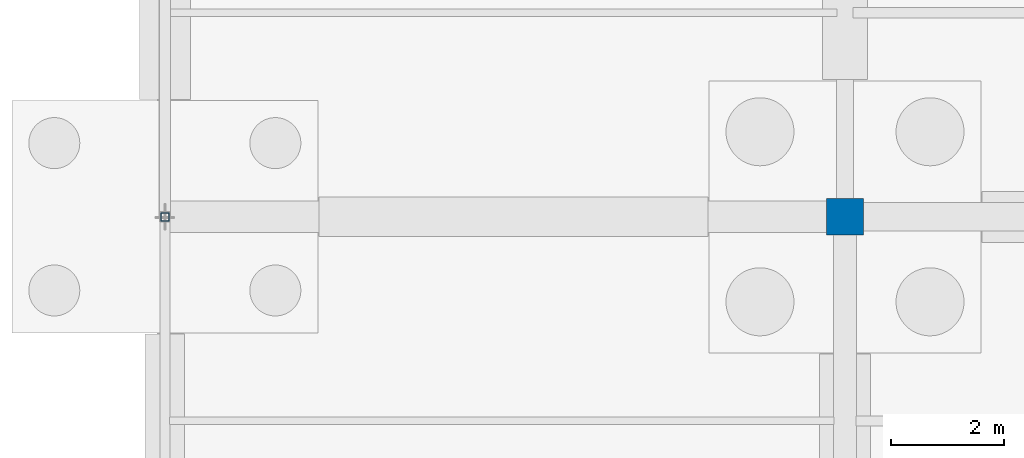
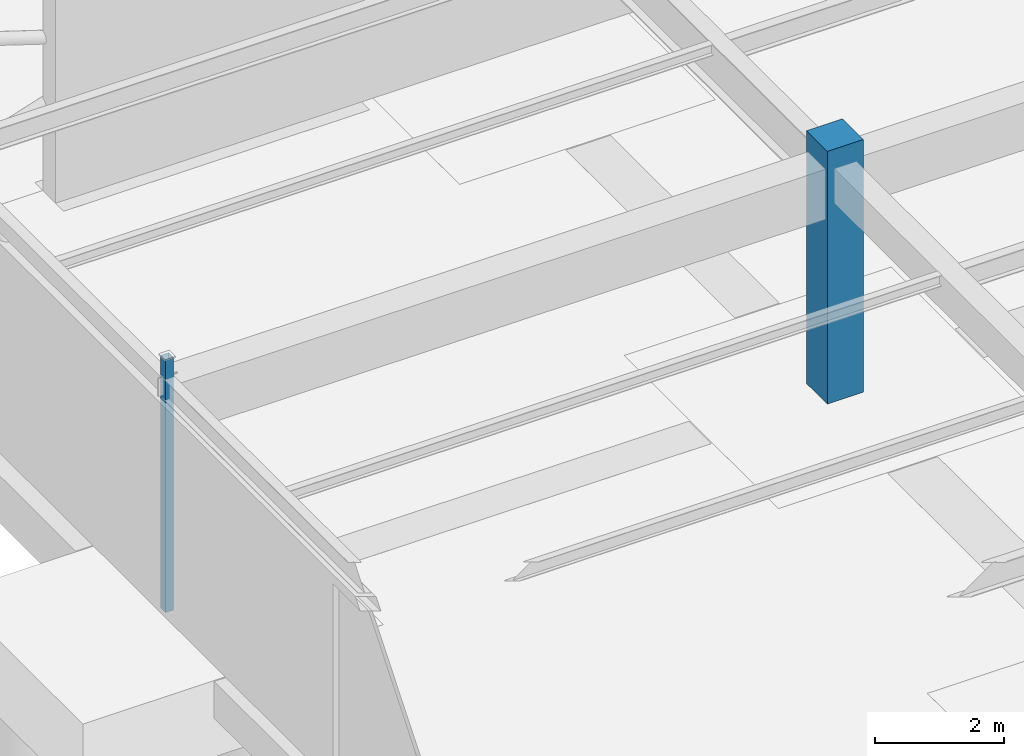
# One storey, part 31 of 136: 2 columns.
"""IFC4 building model written with IfcOpenShell, lengths in metres."""

import ifcopenshell
import ifcopenshell.guid

model = None  # the IFC model being written
_history = None  # IfcOwnerHistory: only IFC2X3 demands one
_inside = {}  # id of a spatial element -> (the spatial element, [elements in it])
_under = {}  # id of a project, library or spatial element -> (it, [spatial elements below it])
_declared = {}  # id of a project -> (the project, [libraries it declares])
_typed = {}  # id of a type object -> (the type object, [elements of that type])
_made_of = {}  # id of a material, layer set ... -> (it, [elements and type objects made of it])


def new_model(schema):
    """Start an empty IFC model of exactly this schema.

    Asked for "IFC4X3", IfcOpenShell would pick the latest addendum, in which some entities
    have other attributes; the version numbers below select the first issue.
    IFC2X3 requires an IfcOwnerHistory on every rooted entity: one is made here for all.
    """
    global model, _history
    if schema == "IFC4X3":
        model = ifcopenshell.file(schema_version=(4, 3, 0, 0))
    else:
        model = ifcopenshell.file(schema=schema)
    _inside.clear()
    _under.clear()
    _declared.clear()
    _typed.clear()
    _made_of.clear()
    _history = None
    if model.schema == "IFC2X3":
        org = make("IfcOrganization", Name="unknown")
        user = make(
            "IfcPersonAndOrganization",
            ThePerson=make("IfcPerson", FamilyName="unknown"),
            TheOrganization=org,
        )
        app = make(
            "IfcApplication",
            ApplicationDeveloper=org,
            Version="unknown",
            ApplicationFullName="unknown",
            ApplicationIdentifier="unknown",
        )
        _history = make(
            "IfcOwnerHistory",
            OwningUser=user,
            OwningApplication=app,
            ChangeAction="ADDED",
            CreationDate=0,
        )
    return model


def make(cls, **values):
    """One entity of the class cls with the attributes given. An attribute that is None is left unset."""
    return model.create_entity(
        cls, **{name: value for name, value in values.items() if value is not None}
    )


def rooted(cls, **values):
    """An entity with a GlobalId (a new one), such as an element, a storey or a relation."""
    return make(cls, GlobalId=ifcopenshell.guid.new(), OwnerHistory=_history, **values)


def si_unit(unit_type, name, prefix=None):
    """IfcSIUnit, for example si_unit("LENGTHUNIT", "METRE", prefix="MILLI")."""
    return make("IfcSIUnit", UnitType=unit_type, Prefix=prefix, Name=name)


def assignment(units):
    """IfcUnitAssignment: the units of a project."""
    return None if units is None else make("IfcUnitAssignment", Units=units)


def point(xyz):
    """IfcCartesianPoint."""
    return None if xyz is None else make("IfcCartesianPoint", Coordinates=xyz)


def direction(xyz):
    """IfcDirection."""
    return None if xyz is None else make("IfcDirection", DirectionRatios=xyz)


def frame(location, z_axis=None, x_axis=None):
    """IfcAxis2Placement3D, a coordinate frame: its origin and axes. An axis left out is left unset."""
    return make(
        "IfcAxis2Placement3D",
        Location=point(location),
        Axis=direction(z_axis),
        RefDirection=direction(x_axis),
    )


def frame_2d(location, x_axis=None):
    """IfcAxis2Placement2D, a coordinate frame in the plane: its origin and x axis."""
    return make(
        "IfcAxis2Placement2D", Location=point(location), RefDirection=direction(x_axis)
    )


def origin():
    """The frame at (0, 0, 0) with its axes left unset."""
    return frame((0.0, 0.0, 0.0))


def origin_2d():
    """The frame at (0, 0) in the plane with its x axis left unset."""
    return frame_2d((0.0, 0.0))


def place(relative_to, where):
    """IfcLocalPlacement: puts the frame where relative to a parent placement (None: the world)."""
    return make(
        "IfcLocalPlacement", PlacementRelTo=relative_to, RelativePlacement=where
    )


def context(
    kind, dimensions, precision=None, world=None, true_north=None, identifier=None
):
    """IfcGeometricRepresentationContext, for example the 3D "Model" context."""
    return make(
        "IfcGeometricRepresentationContext",
        ContextIdentifier=identifier,
        ContextType=kind,
        CoordinateSpaceDimension=dimensions,
        Precision=precision,
        WorldCoordinateSystem=world,
        TrueNorth=true_north,
    )


def subcontext(parent, identifier, kind, view, scale=None):
    """IfcGeometricRepresentationSubContext, for example "Body" below "Model"."""
    return make(
        "IfcGeometricRepresentationSubContext",
        ContextIdentifier=identifier,
        ContextType=kind,
        ParentContext=parent,
        TargetScale=scale,
        TargetView=view,
    )


def project(units=None, contexts=None):
    """IfcProject with its units and contexts."""
    return rooted(
        "IfcProject",
        Name="project",
        RepresentationContexts=contexts,
        UnitsInContext=assignment(units),
    )


def spatial(cls, under=None, at=None, **own):
    """A site, building, storey or space (cls), placed at a placement, below another one or the project."""
    s = rooted(cls, ObjectPlacement=at, **own)
    if under is not None:
        _under.setdefault(under.id(), (under, []))[1].append(s)
    return s


def profile(cls, at=None, kind="AREA", **sizes):
    """A parametric profile (cls). Its sizes go by their IFC names, for example OverallWidth=200.0."""
    return make(cls, ProfileType=kind, Position=at, **sizes)


def rectangle(**sizes):
    """IfcRectangleProfileDef."""
    return profile("IfcRectangleProfileDef", **sizes)


def hollow_rectangle(**sizes):
    """IfcRectangleHollowProfileDef."""
    return profile("IfcRectangleHollowProfileDef", **sizes)


def extrude(swept, where, along, depth):
    """IfcExtrudedAreaSolid: the profile swept, set in the frame where, extruded along a direction by depth."""
    return make(
        "IfcExtrudedAreaSolid",
        SweptArea=swept,
        Position=where,
        ExtrudedDirection=direction(along),
        Depth=depth,
    )


def shape(context_of_items, identifier, shape_type, items):
    """IfcShapeRepresentation: the items that make up one representation, for example the "Body"."""
    return make(
        "IfcShapeRepresentation",
        ContextOfItems=context_of_items,
        RepresentationIdentifier=identifier,
        RepresentationType=shape_type,
        Items=items,
    )


def material(Name=None, Category=None):
    """IfcMaterial."""
    return make("IfcMaterial", Name=Name, Category=Category)


def material_profile(
    of_material, cross_section, Name=None, Category=None, Priority=None
):
    """IfcMaterialProfile: a cross section and its material."""
    return make(
        "IfcMaterialProfile",
        Name=Name,
        Material=of_material,
        Profile=cross_section,
        Priority=Priority,
        Category=Category,
    )


def profile_set(profiles, Name=None, composite=None):
    """IfcMaterialProfileSet."""
    return make(
        "IfcMaterialProfileSet",
        Name=Name,
        MaterialProfiles=profiles,
        CompositeProfile=composite,
    )


def made_of(thing, what):
    """Note that an element or type object is made of a material, layer set ...; save() writes the relation."""
    if what is not None:
        _made_of.setdefault(what.id(), (what, []))[1].append(thing)
    return thing


def type_object(cls, material=None, **own):
    """A type object (cls), such as IfcWallType, which elements share."""
    return made_of(rooted(cls, **own), material)


def element(
    cls,
    number,
    at=None,
    inside=None,
    cuts=None,
    type_object=None,
    material=None,
    context=None,
    identifier="Body",
    shape_type=None,
    held_by="IfcProductDefinitionShape",
    body=None,
    shapes=None,
    **own,
):
    """One element of the class cls, such as IfcWall. Its Tag is "e" and its number.

    at: its placement. inside: the storey or other place that contains it. cuts: it is an
    opening in that element (IfcRelVoidsElement). A single representation is given by context,
    identifier, shape_type and body (its items); several are given by shapes. held_by: the class
    of the entity that holds the representations. save() writes the other relations.
    """
    e = rooted(cls, Tag="e%d" % number, ObjectPlacement=at, **own)
    if body is not None:
        shapes = [shape(context, identifier, shape_type, body)]
    if shapes is not None:
        e.Representation = make(held_by, Representations=shapes)
    if inside is not None:
        _inside.setdefault(inside.id(), (inside, []))[1].append(e)
    if cuts is not None:
        rooted(
            "IfcRelVoidsElement", RelatingBuildingElement=cuts, RelatedOpeningElement=e
        )
    if type_object is not None:
        _typed.setdefault(type_object.id(), (type_object, []))[1].append(e)
    return made_of(e, material)


def aggregate(whole, parts):
    """IfcRelAggregates: a whole, such as a stair, and the parts it consists of."""
    return rooted("IfcRelAggregates", RelatingObject=whole, RelatedObjects=parts)


def save(model, path):
    """Write the relations noted so far, then the file.

    IfcRelAggregates (storeys below a building ...), IfcRelContainedInSpatialStructure (elements
    in a storey), IfcRelDefinesByType, IfcRelAssociatesMaterial and IfcRelDeclares: one each for
    every whole, place, type object, material and project.
    """
    for whole, parts in _under.values():
        aggregate(whole, parts)
    for where, things in _inside.values():
        rooted(
            "IfcRelContainedInSpatialStructure",
            RelatedElements=things,
            RelatingStructure=where,
        )
    for kind, things in _typed.values():
        rooted("IfcRelDefinesByType", RelatedObjects=things, RelatingType=kind)
    for what, things in _made_of.values():
        rooted("IfcRelAssociatesMaterial", RelatedObjects=things, RelatingMaterial=what)
    for by, libraries in _declared.values():
        rooted("IfcRelDeclares", RelatingContext=by, RelatedDefinitions=libraries)
    model.write(path)


model = new_model("IFC4")

# Units and contexts
model_context = context("Model", 3, precision=1e-05, world=origin(), true_north=direction((0.0, 1.0)))
body_context = subcontext(model_context, "Body", "Model", "MODEL_VIEW")
ifc_project = project(units=[si_unit("LENGTHUNIT", "METRE"), si_unit("AREAUNIT", "SQUARE_METRE"), si_unit("VOLUMEUNIT", "CUBIC_METRE"), si_unit("PLANEANGLEUNIT", "RADIAN"), si_unit("MASSUNIT", "GRAM", prefix="KILO")], contexts=[model_context])

# Site, building, storey
site_placement = place(None, origin())
site = spatial("IfcSite", under=ifc_project, at=site_placement, CompositionType="ELEMENT")
building_placement = place(site_placement, origin())
building = spatial("IfcBuilding", under=site, at=building_placement, Name="Tarnwether General Hospital", CompositionType="ELEMENT")
storey_placement = place(building_placement, frame((0.0, 0.0, -4.800048828125)))
storey = spatial("IfcBuildingStorey", under=building, at=storey_placement, Name="LG", CompositionType="ELEMENT", Elevation=-4.800048828125)

# Columns
ifc_material_1 = material(Name="Steel Grade C350L0 (350 MPa)", Category="steel")
ifc_material_profile_1 = material_profile(ifc_material_1, hollow_rectangle(XDim=0.14990234375, YDim=0.14990234375, WallThickness=0.008056640625, at=origin_2d()), Name="SHS150x150x8")
ifc_profile_set_1 = profile_set([ifc_material_profile_1], Name="Steel Grade C350L0 (350 MPa)")
column_type_1 = type_object("IfcColumnType", Name="COL-33", PredefinedType="COLUMN", material=ifc_profile_set_1)
column_1_placement = place(storey_placement, frame((0.0, 115.199951171875, 0.0), z_axis=(0.0, 0.0, 1.0), x_axis=(1.0, 0.0, 0.0)))
element("IfcColumn", 1, at=column_1_placement, inside=storey, type_object=column_type_1, Name="Column COLG-LG-0_11520", PredefinedType="COLUMN", context=body_context, shape_type="SweptSolid", body=[
    extrude(hollow_rectangle(XDim=0.14990234375, YDim=0.14990234375, WallThickness=0.008056640625, at=origin_2d()), origin(), (0.0, 0.0, 1.0), 4.800048828125),
])
ifc_material_2 = material(Name="Concrete 50 MPa", Category="concrete")
ifc_material_profile_2 = material_profile(ifc_material_2, rectangle(XDim=0.64990234375, YDim=0.64990234375, at=origin_2d()), Name="RC-COL-650x650")
ifc_profile_set_2 = profile_set([ifc_material_profile_2], Name="Concrete 50 MPa")
column_type_2 = type_object("IfcColumnType", Name="COL-35", PredefinedType="COLUMN", material=ifc_profile_set_2)
column_2_placement = place(storey_placement, frame((12.0, 115.199951171875, 0.0), z_axis=(0.0, 0.0, 1.0), x_axis=(0.0, 1.0, 0.0)))
element("IfcColumn", 2, at=column_2_placement, inside=storey, type_object=column_type_2, Name="Column COLG-LG-1200_11520", PredefinedType="COLUMN", context=body_context, shape_type="SweptSolid", body=[
    extrude(rectangle(XDim=0.64990234375, YDim=0.64990234375, at=origin_2d()), origin(), (0.0, 0.0, 1.0), 4.800048828125),
])

save(model, "model.ifc")
